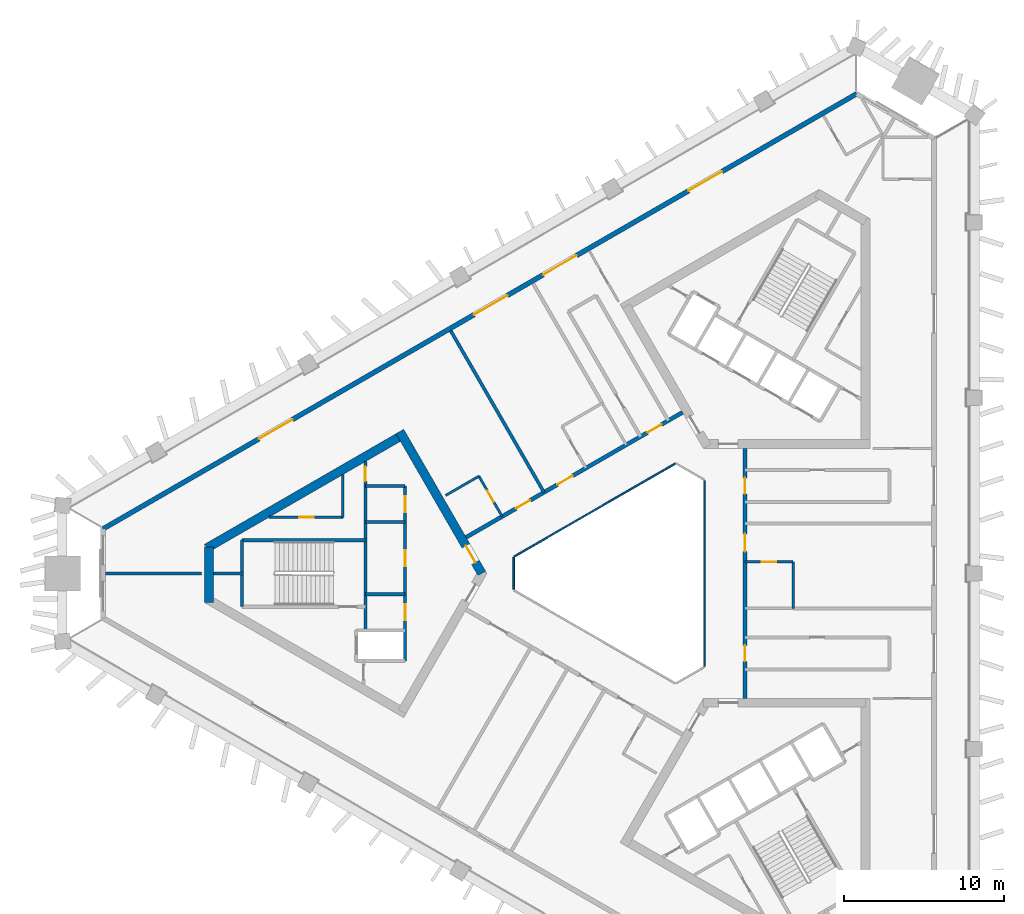
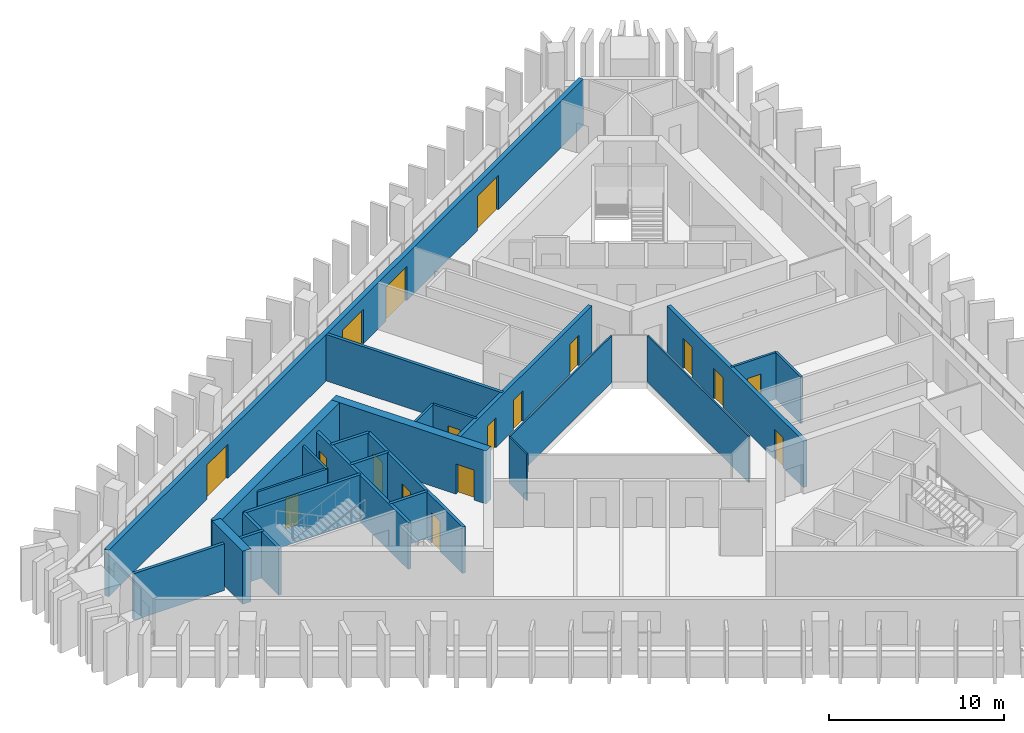
# One storey, part 4 of 10: 25 walls, 18 doors, 18 openings.
"""IFC4 building model written with IfcOpenShell, lengths in metres."""

from ifc_helpers import new_model, si_unit, direction, frame, frame_2d, origin, place, context, subcontext, project, spatial, rectangle, extrude, material, layer, layer_set, type_object, element, fill, save


model = new_model("IFC4")

# Units and contexts
model_context = context("Model", 3, precision=1e-05, world=origin(), true_north=direction((0.0, 1.0)))
body_context = subcontext(model_context, "Body", "Model", "MODEL_VIEW")
ifc_project = project(units=[si_unit("LENGTHUNIT", "METRE"), si_unit("AREAUNIT", "SQUARE_METRE"), si_unit("VOLUMEUNIT", "CUBIC_METRE"), si_unit("PLANEANGLEUNIT", "RADIAN"), si_unit("MASSUNIT", "GRAM", prefix="KILO")], contexts=[model_context])

# Site, building, storey
site_placement = place(None, origin())
site = spatial("IfcSite", under=ifc_project, at=site_placement, CompositionType="ELEMENT")
building_placement = place(site_placement, origin())
building = spatial("IfcBuilding", under=site, at=building_placement, Name="Jabali Bay Hotel Tower and Convention Centre", CompositionType="ELEMENT")
storey_placement = place(building_placement, frame((0.0, 0.0, 160.0)))
storey = spatial("IfcBuildingStorey", under=building, at=storey_placement, Name="L38", CompositionType="ELEMENT", Elevation=160.0)

# Walls
ifc_material_1 = material(Name="Fire-resistant glazing", Category="glass")
ifc_layer_1 = layer(ifc_material_1, 0.10009765625)
ifc_layer_set_1 = layer_set([ifc_layer_1], Name="Fire-resistant glazing")
wall_type_1 = type_object("IfcWallType", Name="Atrium glazed screen 100", PredefinedType="PARTITIONING", material=ifc_layer_set_1)
for number, where, z_axis, x_axis, name in (
    (1, (79.56005859375, 74.205810546875, 0.0), (0.0, 0.0, 1.0), (0.0, 1.0, 0.0), "Atrium screen 1 L38"),
    (2, (77.738037109375, 86.84619140625, 0.0), (0.0, 0.0, 1.0), (-0.866026658274, -0.499997827154, 0.0), "Atrium screen 3 L38"),
):
    element("IfcWall", number, at=place(storey_placement, frame(where, z_axis=z_axis, x_axis=x_axis)), inside=storey, type_object=wall_type_1, Name=name, PredefinedType="PARTITIONING", context=body_context, shape_type="SweptSolid", body=[
        extrude(rectangle(XDim=11.58837890625, YDim=0.10009765625, at=frame_2d((5.794189453125, 0.0))), origin(), (0.0, 0.0, 1.0), 3.25),
    ])
wall_1_placement = place(storey_placement, frame((67.672119140625, 81.0, 0.0), z_axis=(0.0, 0.0, 1.0), x_axis=(0.0, -1.0, 0.0)))
element("IfcWall", 3, at=wall_1_placement, inside=storey, type_object=wall_type_1, Name="Atrium screen 4 L38", PredefinedType="PARTITIONING", context=body_context, shape_type="SweptSolid", body=[
    extrude(rectangle(XDim=2.0, YDim=0.10009765625, at=frame_2d((1.0, 0.0))), origin(), (0.0, 0.0, 1.0), 3.25),
])
ifc_material_2 = material(Name="Concrete C40", Category="concrete")
ifc_layer_2 = layer(ifc_material_2, 0.199951171875)
ifc_layer_set_2 = layer_set([ifc_layer_2], Name="Concrete C40")
wall_type_2 = type_object("IfcWallType", Name="Core partition wall 200", PredefinedType="PARTITIONING", material=ifc_layer_set_2)
wall_2_placement = place(storey_placement, frame((50.820068359375, 80.0, 0.0), z_axis=(0.0, 0.0, 1.0), x_axis=(-1.0, 0.0, 0.0)))
element("IfcWall", 4, at=wall_2_placement, inside=storey, type_object=wall_type_2, Name="Core wall 0.4 L38", PredefinedType="PARTITIONING", context=body_context, shape_type="SweptSolid", body=[
    extrude(rectangle(XDim=1.873046875, YDim=0.199951171875, at=frame_2d((0.9365234375, 0.0))), origin(), (0.0, 0.0, 1.0), 3.25),
])

# Wall, opening, door
ifc_material_3 = material(Name="Fire-rated board partition")
ifc_layer_3 = layer(ifc_material_3, 0.14990234375)
ifc_layer_set_3 = layer_set([ifc_layer_3], Name="Fire-rated board partition")
wall_type_3 = type_object("IfcWallType", Name="Core room partition 150", PredefinedType="PARTITIONING", material=ifc_layer_set_3)
wall_3_placement = place(storey_placement, frame((57.02001953125, 83.5, 0.0), z_axis=(0.0, 0.0, 1.0), x_axis=(-1.0, 0.0, 0.0)))
wall_3 = element("IfcWall", 5, at=wall_3_placement, inside=storey, type_object=wall_type_3, Name="Core wall 0.1 L38", PredefinedType="PARTITIONING", context=body_context, shape_type="SweptSolid", body=[
    extrude(rectangle(XDim=4.617919921875, YDim=0.14990234375, at=frame_2d((2.30908203125, 0.0))), origin(), (0.0, 0.0, 1.0), 3.25),
])
opening_1_placement = place(wall_3_placement, frame((1.83154296875, 0.0, 0.0)))
opening_1 = element("IfcOpeningElement", 6, at=opening_1_placement, cuts=wall_3, Name="Opening D832", PredefinedType="OPENING", context=body_context, shape_type="SweptSolid", body=[
    extrude(rectangle(XDim=0.89990234375, YDim=2.10009765625, at=frame_2d((0.449951171875, 1.050048828125))), frame((0.0, 0.08544921875, 0.0), z_axis=(0.0, -1.0, 0.0), x_axis=(1.0, 0.0, 0.0)), (0.0, 0.0, 1.0), 0.1708984375),
])
ifc_material_4 = material(Name="Fire-rated steel door", Category="steel")
door_type_1 = type_object("IfcDoorType", Name="Core room door 900 x 2100", OperationType="NOTDEFINED", PredefinedType="NOTDEFINED", material=ifc_material_4)
door_1_placement = place(opening_1_placement, origin())
door_1 = element("IfcDoor", 7, at=door_1_placement, inside=storey, type_object=door_type_1, Name="Core room door D832", OperationType="SINGLE_SWING_LEFT", OverallHeight=2.10009765625, OverallWidth=0.89990234375, PredefinedType="NOTDEFINED", context=body_context, shape_type="SweptSolid", body=[
    extrude(rectangle(XDim=0.89990234375, YDim=2.10009765625, at=frame_2d((0.449951171875, 1.050048828125))), frame((0.0, 0.02490234375, 0.0), z_axis=(0.0, -1.0, 0.0), x_axis=(1.0, 0.0, 0.0)), (0.0, 0.0, 1.0), 0.050048828125),
])
fill(opening_1, door_1)

# Walls
wall_4_placement = place(storey_placement, frame((57.02001953125, 86.166015625, 0.0), z_axis=(0.0, 0.0, 1.0), x_axis=(0.0, -1.0, 0.0)))
element("IfcWall", 8, at=wall_4_placement, inside=storey, type_object=wall_type_3, Name="Core wall 0.13 L38", PredefinedType="PARTITIONING", context=body_context, shape_type="SweptSolid", body=[
    extrude(rectangle(XDim=2.666015625, YDim=0.14990234375, at=frame_2d((1.3330078125, 0.0))), origin(), (0.0, 0.0, 1.0), 3.25),
])
ifc_layer_4 = layer(ifc_material_2, 0.199951171875)
ifc_layer_set_4 = layer_set([ifc_layer_4], Name="Concrete C40")
wall_type_4 = type_object("IfcWallType", Name="Core stair wall 200", PredefinedType="SOLIDWALL", material=ifc_layer_set_4)
for number, where, z_axis, x_axis, name in (
    (9, (60.89990234375, 85.449951171875, 0.0), (0.0, 0.0, 1.0), (-1.0, 0.0, 0.0), "Core wall 0.0 L38"),
    (10, (60.89990234375, 83.199951171875, 0.0), (0.0, 0.0, 1.0), (-1.0, 0.0, 0.0), "Core wall 0.2 L38"),
):
    element("IfcWall", number, at=place(storey_placement, frame(where, z_axis=z_axis, x_axis=x_axis)), inside=storey, type_object=wall_type_4, Name=name, PredefinedType="SOLIDWALL", context=body_context, shape_type="SweptSolid", body=[
        extrude(rectangle(XDim=2.47998046875, YDim=0.199951171875, at=frame_2d((1.239990234375, 0.0))), origin(), (0.0, 0.0, 1.0), 3.25),
    ])
wall_5_placement = place(storey_placement, frame((58.419921875, 82.074951171875, 0.0), z_axis=(0.0, 0.0, 1.0), x_axis=(-1.0, 0.0, 0.0)))
element("IfcWall", 11, at=wall_5_placement, inside=storey, type_object=wall_type_4, Name="Core wall 0.3 L38", PredefinedType="SOLIDWALL", context=body_context, shape_type="SweptSolid", body=[
    extrude(rectangle(XDim=7.699951171875, YDim=0.199951171875, at=frame_2d((3.85009765625, 0.0))), origin(), (0.0, 0.0, 1.0), 3.25),
])
wall_6_placement = place(storey_placement, frame((60.89990234375, 78.699951171875, 0.0), z_axis=(0.0, 0.0, 1.0), x_axis=(-1.0, 0.0, 0.0)))
element("IfcWall", 12, at=wall_6_placement, inside=storey, type_object=wall_type_4, Name="Core wall 0.5 L38", PredefinedType="SOLIDWALL", context=body_context, shape_type="SweptSolid", body=[
    extrude(rectangle(XDim=2.47998046875, YDim=0.199951171875, at=frame_2d((1.239990234375, 0.0))), origin(), (0.0, 0.0, 1.0), 3.25),
])

# Wall, openings, doors
wall_7_placement = place(storey_placement, frame((60.89990234375, 85.449951171875, 0.0), z_axis=(0.0, 0.0, 1.0), x_axis=(0.0, -1.0, 0.0)))
wall_7 = element("IfcWall", 13, at=wall_7_placement, inside=storey, type_object=wall_type_4, Name="Core wall 0.9 L38", PredefinedType="SOLIDWALL", context=body_context, shape_type="SweptSolid", body=[
    extrude(rectangle(XDim=10.89990234375, YDim=0.199951171875, at=frame_2d((5.449951171875, 0.0))), origin(), (0.0, 0.0, 1.0), 3.25),
])
opening_2_placement = place(wall_7_placement, frame((0.625, 0.0, 0.0)))
opening_2 = element("IfcOpeningElement", 14, at=opening_2_placement, cuts=wall_7, Name="Opening D826", PredefinedType="OPENING", context=body_context, shape_type="SweptSolid", body=[
    extrude(rectangle(XDim=1.0, YDim=2.10009765625, at=frame_2d((0.5, 1.050048828125))), frame((0.0, 0.1103515625, 0.0), z_axis=(0.0, -1.0, 0.0), x_axis=(1.0, 0.0, 0.0)), (0.0, 0.0, 1.0), 0.220947265625),
])
opening_3_placement = place(wall_7_placement, frame((4.0, 0.0, 0.0)))
opening_3 = element("IfcOpeningElement", 15, at=opening_3_placement, cuts=wall_7, Name="Opening D827", PredefinedType="OPENING", context=body_context, shape_type="SweptSolid", body=[
    extrude(rectangle(XDim=1.0, YDim=2.10009765625, at=frame_2d((0.5, 1.050048828125))), frame((0.0, 0.1103515625, 0.0), z_axis=(0.0, -1.0, 0.0), x_axis=(1.0, 0.0, 0.0)), (0.0, 0.0, 1.0), 0.220947265625),
])
opening_4_placement = place(wall_7_placement, frame((7.375, 0.0, 0.0)))
opening_4 = element("IfcOpeningElement", 16, at=opening_4_placement, cuts=wall_7, Name="Opening D828", PredefinedType="OPENING", context=body_context, shape_type="SweptSolid", body=[
    extrude(rectangle(XDim=1.0, YDim=2.10009765625, at=frame_2d((0.5, 1.050048828125))), frame((0.0, 0.1103515625, 0.0), z_axis=(0.0, -1.0, 0.0), x_axis=(1.0, 0.0, 0.0)), (0.0, 0.0, 1.0), 0.220947265625),
])
door_type_2 = type_object("IfcDoorType", Name="Core room door 1000 x 2100", OperationType="NOTDEFINED", PredefinedType="NOTDEFINED", material=ifc_material_4)
door_2_placement = place(opening_2_placement, origin())
door_2 = element("IfcDoor", 17, at=door_2_placement, inside=storey, type_object=door_type_2, Name="Core room door D826", OperationType="SINGLE_SWING_RIGHT", OverallHeight=2.10009765625, OverallWidth=1.0, PredefinedType="NOTDEFINED", context=body_context, shape_type="SweptSolid", body=[
    extrude(rectangle(XDim=1.0, YDim=2.10009765625, at=frame_2d((0.5, 1.050048828125))), frame((0.0, 0.02490234375, 0.0), z_axis=(0.0, -1.0, 0.0), x_axis=(1.0, 0.0, 0.0)), (0.0, 0.0, 1.0), 0.050048828125),
])
fill(opening_2, door_2)
door_3_placement = place(opening_3_placement, origin())
door_3 = element("IfcDoor", 18, at=door_3_placement, inside=storey, type_object=door_type_2, Name="Core room door D827", OperationType="SINGLE_SWING_RIGHT", OverallHeight=2.10009765625, OverallWidth=1.0, PredefinedType="NOTDEFINED", context=body_context, shape_type="SweptSolid", body=[
    extrude(rectangle(XDim=1.0, YDim=2.10009765625, at=frame_2d((0.5, 1.050048828125))), frame((0.0, 0.02490234375, 0.0), z_axis=(0.0, -1.0, 0.0), x_axis=(1.0, 0.0, 0.0)), (0.0, 0.0, 1.0), 0.050048828125),
])
fill(opening_3, door_3)
door_4_placement = place(opening_4_placement, origin())
door_4 = element("IfcDoor", 19, at=door_4_placement, inside=storey, type_object=door_type_2, Name="Core room door D828", OperationType="SINGLE_SWING_RIGHT", OverallHeight=2.10009765625, OverallWidth=1.0, PredefinedType="NOTDEFINED", context=body_context, shape_type="SweptSolid", body=[
    extrude(rectangle(XDim=1.0, YDim=2.10009765625, at=frame_2d((0.5, 1.050048828125))), frame((0.0, 0.02490234375, 0.0), z_axis=(0.0, -1.0, 0.0), x_axis=(1.0, 0.0, 0.0)), (0.0, 0.0, 1.0), 0.050048828125),
])
fill(opening_4, door_4)

# Wall, opening, door
wall_8_placement = place(storey_placement, frame((58.419921875, 86.974365234375, 0.0), z_axis=(0.0, 0.0, 1.0), x_axis=(0.0, -1.0, 0.0)))
wall_8 = element("IfcWall", 20, at=wall_8_placement, inside=storey, type_object=wall_type_4, Name="Core wall 0.10 L38", PredefinedType="SOLIDWALL", context=body_context, shape_type="SweptSolid", body=[
    extrude(rectangle(XDim=10.5244140625, YDim=0.199951171875, at=frame_2d((5.26220703125, 0.0))), origin(), (0.0, 0.0, 1.0), 3.25),
])
opening_5_placement = place(wall_8_placement, frame((0.312255859375, 0.0, 0.0)))
opening_5 = element("IfcOpeningElement", 21, at=opening_5_placement, cuts=wall_8, Name="Opening D830", PredefinedType="OPENING", context=body_context, shape_type="SweptSolid", body=[
    extrude(rectangle(XDim=0.89990234375, YDim=2.10009765625, at=frame_2d((0.449951171875, 1.050048828125))), frame((0.0, 0.1103515625, 0.0), z_axis=(0.0, -1.0, 0.0), x_axis=(1.0, 0.0, 0.0)), (0.0, 0.0, 1.0), 0.220947265625),
])
door_type_3 = type_object("IfcDoorType", Name="Vestibule fire door 900 x 2100", OperationType="NOTDEFINED", PredefinedType="NOTDEFINED", material=ifc_material_4)
door_5_placement = place(opening_5_placement, origin())
door_5 = element("IfcDoor", 22, at=door_5_placement, inside=storey, type_object=door_type_3, Name="Vestibule fire door D830", OperationType="SINGLE_SWING_LEFT", OverallHeight=2.10009765625, OverallWidth=0.89990234375, PredefinedType="NOTDEFINED", context=body_context, shape_type="SweptSolid", body=[
    extrude(rectangle(XDim=0.89990234375, YDim=2.10009765625, at=frame_2d((0.449951171875, 1.050048828125))), frame((0.0, 0.02490234375, 0.0), z_axis=(0.0, -1.0, 0.0), x_axis=(1.0, 0.0, 0.0)), (0.0, 0.0, 1.0), 0.050048828125),
])
fill(opening_5, door_5)

# Wall
wall_9_placement = place(storey_placement, frame((50.719970703125, 82.074951171875, 0.0), z_axis=(0.0, 0.0, 1.0), x_axis=(0.0, -1.0, 0.0)))
element("IfcWall", 23, at=wall_9_placement, inside=storey, type_object=wall_type_4, Name="Core wall 0.14 L38", PredefinedType="SOLIDWALL", context=body_context, shape_type="SweptSolid", body=[
    extrude(rectangle(XDim=4.14990234375, YDim=0.199951171875, at=frame_2d((2.074951171875, 0.0))), origin(), (0.0, 0.0, 1.0), 3.25),
])

# Wall, opening, door
ifc_material_5 = material(Name="Concrete C60", Category="concrete")
ifc_layer_5 = layer(ifc_material_5, 0.550048828125)
ifc_layer_set_5 = layer_set([ifc_layer_5], Name="Concrete C60")
wall_type_5 = type_object("IfcWallType", Name="Core wall 550", PredefinedType="SHEAR", material=ifc_layer_set_5)
wall_10_placement = place(storey_placement, frame((65.682373046875, 80.0, 0.0), z_axis=(0.0, 0.0, 1.0), x_axis=(-0.500000202252, 0.866025287014, 0.0)))
wall_10 = element("IfcWall", 24, at=wall_10_placement, inside=storey, type_object=wall_type_5, Name="Core wall 1.1 L38", PredefinedType="SHEAR", context=body_context, shape_type="SweptSolid", body=[
    extrude(rectangle(XDim=10.22119140625, YDim=0.550048828125, at=frame_2d((5.110595703125, 0.0))), origin(), (0.0, 0.0, 1.0), 3.699951171875),
])
opening_6_placement = place(wall_10_placement, frame((0.791259765625, 0.0, 0.0)))
opening_6 = element("IfcOpeningElement", 25, at=opening_6_placement, cuts=wall_10, Name="Opening D824", PredefinedType="OPENING", context=body_context, shape_type="SweptSolid", body=[
    extrude(rectangle(XDim=1.199951171875, YDim=2.10009765625, at=frame_2d((0.60009765625, 1.050048828125))), frame((0.0, 0.28564453125, 0.0), z_axis=(0.0, -1.0, 0.0), x_axis=(1.0, 0.0, 0.0)), (0.0, 0.0, 1.0), 0.571044921875),
])
door_type_4 = type_object("IfcDoorType", Name="Corridor end fire door 1200 x 2100", OperationType="NOTDEFINED", PredefinedType="NOTDEFINED", material=ifc_material_4)
door_6_placement = place(opening_6_placement, origin())
door_6 = element("IfcDoor", 26, at=door_6_placement, inside=storey, type_object=door_type_4, Name="Corridor end fire door D824", OperationType="SINGLE_SWING_RIGHT", OverallHeight=2.10009765625, OverallWidth=1.199951171875, PredefinedType="NOTDEFINED", context=body_context, shape_type="SweptSolid", body=[
    extrude(rectangle(XDim=1.199951171875, YDim=2.10009765625, at=frame_2d((0.60009765625, 1.050048828125))), frame((0.0, 0.02490234375, 0.0), z_axis=(0.0, -1.0, 0.0), x_axis=(1.0, 0.0, 0.0)), (0.0, 0.0, 1.0), 0.050048828125),
])
fill(opening_6, door_6)

# Walls
wall_11_placement = place(storey_placement, frame((60.709228515625, 88.61376953125, 0.0), z_axis=(0.0, 0.0, 1.0), x_axis=(-0.866020164116, -0.500009075263, 0.0)))
element("IfcWall", 27, at=wall_11_placement, inside=storey, type_object=wall_type_5, Name="Core wall 1.2 L38", PredefinedType="SHEAR", context=body_context, shape_type="SweptSolid", body=[
    extrude(rectangle(XDim=14.058349609375, YDim=0.550048828125, at=frame_2d((7.029296875, 0.0))), origin(), (0.0, 0.0, 1.0), 3.699951171875),
])
wall_12_placement = place(storey_placement, frame((48.671875, 81.663818359375, 0.0), z_axis=(0.0, 0.0, 1.0), x_axis=(0.0, -1.0, 0.0)))
element("IfcWall", 28, at=wall_12_placement, inside=storey, type_object=wall_type_5, Name="Core wall 1.3 L38", PredefinedType="SHEAR", context=body_context, shape_type="SweptSolid", body=[
    extrude(rectangle(XDim=3.486572265625, YDim=0.550048828125, at=frame_2d((1.7431640625, 0.0))), origin(), (0.0, 0.0, 1.0), 3.699951171875),
])

# Wall, openings, doors
ifc_layer_6 = layer(ifc_material_5, 0.25)
ifc_layer_set_6 = layer_set([ifc_layer_6], Name="Concrete C60")
wall_type_6 = type_object("IfcWallType", Name="Corridor wall 250", PredefinedType="SHEAR", material=ifc_layer_set_6)
wall_13_placement = place(storey_placement, frame((82.10009765625, 72.205810546875, 0.0), z_axis=(0.0, 0.0, 1.0), x_axis=(0.0, 1.0, 0.0)))
wall_13 = element("IfcWall", 29, at=wall_13_placement, inside=storey, type_object=wall_type_6, Name="Corridor wall 1 L38", PredefinedType="SHEAR", context=body_context, shape_type="SweptSolid", body=[
    extrude(rectangle(XDim=15.58837890625, YDim=0.25, at=frame_2d((7.794189453125, 0.0))), origin(), (0.0, 0.0, 1.0), 3.25),
])
opening_7_placement = place(wall_13_placement, frame((2.305908203125, 0.0, 0.0)))
opening_7 = element("IfcOpeningElement", 30, at=opening_7_placement, cuts=wall_13, Name="Opening 3801", PredefinedType="OPENING", context=body_context, shape_type="SweptSolid", body=[
    extrude(rectangle(XDim=1.0, YDim=2.10009765625, at=frame_2d((0.5, 1.050048828125))), frame((0.0, 0.135498046875, 0.0), z_axis=(0.0, -1.0, 0.0), x_axis=(1.0, 0.0, 0.0)), (0.0, 0.0, 1.0), 0.27099609375),
])
opening_8_placement = place(wall_13_placement, frame((9.161865234375, 0.0, 0.0)))
opening_8 = element("IfcOpeningElement", 31, at=opening_8_placement, cuts=wall_13, Name="Opening 3806", PredefinedType="OPENING", context=body_context, shape_type="SweptSolid", body=[
    extrude(rectangle(XDim=1.10009765625, YDim=2.10009765625, at=frame_2d((0.550048828125, 1.050048828125))), frame((0.0, 0.135498046875, 0.0), z_axis=(0.0, -1.0, 0.0), x_axis=(1.0, 0.0, 0.0)), (0.0, 0.0, 1.0), 0.27099609375),
])
opening_9_placement = place(wall_13_placement, frame((12.750244140625, 0.0, 0.0)))
opening_9 = element("IfcOpeningElement", 32, at=opening_9_placement, cuts=wall_13, Name="Opening 3807", PredefinedType="OPENING", context=body_context, shape_type="SweptSolid", body=[
    extrude(rectangle(XDim=1.0, YDim=2.10009765625, at=frame_2d((0.5, 1.050048828125))), frame((0.0, 0.135498046875, 0.0), z_axis=(0.0, -1.0, 0.0), x_axis=(1.0, 0.0, 0.0)), (0.0, 0.0, 1.0), 0.27099609375),
])
ifc_material_6 = material(Name="Timber", Category="wood")
door_type_5 = type_object("IfcDoorType", Name="Accessible guest room door 1100 x 2100", OperationType="NOTDEFINED", PredefinedType="NOTDEFINED", material=ifc_material_6)
door_7_placement = place(opening_8_placement, origin())
door_7 = element("IfcDoor", 33, at=door_7_placement, inside=storey, type_object=door_type_5, Name="Door 3806", OperationType="SINGLE_SWING_RIGHT", OverallHeight=2.10009765625, OverallWidth=1.10009765625, PredefinedType="NOTDEFINED", context=body_context, shape_type="SweptSolid", body=[
    extrude(rectangle(XDim=1.10009765625, YDim=2.10009765625, at=frame_2d((0.550048828125, 1.050048828125))), frame((0.0, 0.02490234375, 0.0), z_axis=(0.0, -1.0, 0.0), x_axis=(1.0, 0.0, 0.0)), (0.0, 0.0, 1.0), 0.050048828125),
])
fill(opening_8, door_7)
door_type_6 = type_object("IfcDoorType", Name="Guest room door 1000 x 2100", OperationType="NOTDEFINED", PredefinedType="NOTDEFINED", material=ifc_material_6)
door_8_placement = place(opening_7_placement, origin())
door_8 = element("IfcDoor", 34, at=door_8_placement, inside=storey, type_object=door_type_6, Name="Door 3801", OperationType="SINGLE_SWING_LEFT", OverallHeight=2.10009765625, OverallWidth=1.0, PredefinedType="NOTDEFINED", context=body_context, shape_type="SweptSolid", body=[
    extrude(rectangle(XDim=1.0, YDim=2.10009765625, at=frame_2d((0.5, 1.050048828125))), frame((0.0, 0.02490234375, 0.0), z_axis=(0.0, -1.0, 0.0), x_axis=(1.0, 0.0, 0.0)), (0.0, 0.0, 1.0), 0.050048828125),
])
fill(opening_7, door_8)
door_9_placement = place(opening_9_placement, origin())
door_9 = element("IfcDoor", 35, at=door_9_placement, inside=storey, type_object=door_type_6, Name="Door 3807", OperationType="SINGLE_SWING_RIGHT", OverallHeight=2.10009765625, OverallWidth=1.0, PredefinedType="NOTDEFINED", context=body_context, shape_type="SweptSolid", body=[
    extrude(rectangle(XDim=1.0, YDim=2.10009765625, at=frame_2d((0.5, 1.050048828125))), frame((0.0, 0.02490234375, 0.0), z_axis=(0.0, -1.0, 0.0), x_axis=(1.0, 0.0, 0.0)), (0.0, 0.0, 1.0), 0.050048828125),
])
fill(opening_9, door_9)

wall_14_placement = place(storey_placement, frame((78.199951171875, 90.0458984375, 0.0), z_axis=(0.0, 0.0, 1.0), x_axis=(-0.866026492143, -0.499998114903, 0.0)))
wall_14 = element("IfcWall", 36, at=wall_14_placement, inside=storey, type_object=wall_type_6, Name="Corridor wall 2 L38", PredefinedType="SHEAR", context=body_context, shape_type="SweptSolid", body=[
    extrude(rectangle(XDim=15.58837890625, YDim=0.25, at=frame_2d((7.794189453125, 0.0))), origin(), (0.0, 0.0, 1.0), 3.25),
])
opening_10_placement = place(wall_14_placement, frame((1.526611328125, 0.0, 0.0)))
opening_10 = element("IfcOpeningElement", 37, at=opening_10_placement, cuts=wall_14, Name="Opening 3811", PredefinedType="OPENING", context=body_context, shape_type="SweptSolid", body=[
    extrude(rectangle(XDim=1.0, YDim=2.10009765625, at=frame_2d((0.5, 1.050048828125))), frame((0.0, 0.135498046875, 0.0), z_axis=(0.0, -1.0, 0.0), x_axis=(1.0, 0.0, 0.0)), (0.0, 0.0, 1.0), 0.27099609375),
])
opening_11_placement = place(wall_14_placement, frame((7.914794921875, 0.0, 0.0)))
opening_11 = element("IfcOpeningElement", 38, at=opening_11_placement, cuts=wall_14, Name="Opening 3816", PredefinedType="OPENING", context=body_context, shape_type="SweptSolid", body=[
    extrude(rectangle(XDim=1.10009765625, YDim=2.10009765625, at=frame_2d((0.550048828125, 1.050048828125))), frame((0.0, 0.135498046875, 0.0), z_axis=(0.0, -1.0, 0.0), x_axis=(1.0, 0.0, 0.0)), (0.0, 0.0, 1.0), 0.27099609375),
])
opening_12_placement = place(wall_14_placement, frame((10.982421875, 0.0, 0.0)))
opening_12 = element("IfcOpeningElement", 39, at=opening_12_placement, cuts=wall_14, Name="Opening 3818", PredefinedType="OPENING", context=body_context, shape_type="SweptSolid", body=[
    extrude(rectangle(XDim=1.0, YDim=2.10009765625, at=frame_2d((0.5, 1.050048828125))), frame((0.0, 0.135498046875, 0.0), z_axis=(0.0, -1.0, 0.0), x_axis=(1.0, 0.0, 0.0)), (0.0, 0.0, 1.0), 0.27099609375),
])
door_10_placement = place(opening_11_placement, origin())
door_10 = element("IfcDoor", 40, at=door_10_placement, inside=storey, type_object=door_type_5, Name="Door 3816", OperationType="SINGLE_SWING_RIGHT", OverallHeight=2.10009765625, OverallWidth=1.10009765625, PredefinedType="NOTDEFINED", context=body_context, shape_type="SweptSolid", body=[
    extrude(rectangle(XDim=1.10009765625, YDim=2.10009765625, at=frame_2d((0.550048828125, 1.050048828125))), frame((0.0, 0.02490234375, 0.0), z_axis=(0.0, -1.0, 0.0), x_axis=(1.0, 0.0, 0.0)), (0.0, 0.0, 1.0), 0.050048828125),
])
fill(opening_11, door_10)
door_11_placement = place(opening_10_placement, origin())
door_11 = element("IfcDoor", 41, at=door_11_placement, inside=storey, type_object=door_type_6, Name="Door 3811", OperationType="SINGLE_SWING_LEFT", OverallHeight=2.10009765625, OverallWidth=1.0, PredefinedType="NOTDEFINED", context=body_context, shape_type="SweptSolid", body=[
    extrude(rectangle(XDim=1.0, YDim=2.10009765625, at=frame_2d((0.5, 1.050048828125))), frame((0.0, 0.02490234375, 0.0), z_axis=(0.0, -1.0, 0.0), x_axis=(1.0, 0.0, 0.0)), (0.0, 0.0, 1.0), 0.050048828125),
])
fill(opening_10, door_11)
door_12_placement = place(opening_12_placement, origin())
door_12 = element("IfcDoor", 42, at=door_12_placement, inside=storey, type_object=door_type_6, Name="Door 3818", OperationType="SINGLE_SWING_RIGHT", OverallHeight=2.10009765625, OverallWidth=1.0, PredefinedType="NOTDEFINED", context=body_context, shape_type="SweptSolid", body=[
    extrude(rectangle(XDim=1.0, YDim=2.10009765625, at=frame_2d((0.5, 1.050048828125))), frame((0.0, 0.02490234375, 0.0), z_axis=(0.0, -1.0, 0.0), x_axis=(1.0, 0.0, 0.0)), (0.0, 0.0, 1.0), 0.050048828125),
])
fill(opening_12, door_12)

ifc_layer_7 = layer(ifc_material_2, 0.300048828125)
ifc_layer_set_7 = layer_set([ifc_layer_7], Name="Concrete C40")
wall_type_7 = type_object("IfcWallType", Name="External wall 300", PredefinedType="SOLIDWALL", material=ifc_layer_set_7)
wall_15_placement = place(storey_placement, frame((42.05859375, 82.77685546875, 0.0), z_axis=(0.0, 0.0, 1.0), x_axis=(0.866025745652, 0.499999407868, 0.0)))
wall_15 = element("IfcWall", 43, at=wall_15_placement, inside=storey, type_object=wall_type_7, Name="External wall north-west face L38", PredefinedType="SOLIDWALL", context=body_context, shape_type="SweptSolid", body=[
    extrude(rectangle(XDim=54.279296875, YDim=0.300048828125, at=frame_2d((27.1396484375, 0.0))), origin(), (0.0, 0.0, 1.0), 3.25),
])
opening_13_placement = place(wall_15_placement, frame((26.71923828125, 0.0, 0.0)))
opening_13 = element("IfcOpeningElement", 44, at=opening_13_placement, cuts=wall_15, Name="Opening SD1", PredefinedType="OPENING", context=body_context, shape_type="SweptSolid", body=[
    extrude(rectangle(XDim=2.39990234375, YDim=2.39990234375, at=frame_2d((1.199951171875, 1.199951171875))), frame((0.0, 0.16064453125, 0.0), z_axis=(0.0, -1.0, 0.0), x_axis=(1.0, 0.0, 0.0)), (0.0, 0.0, 1.0), 0.321044921875),
])
opening_14_placement = place(wall_15_placement, frame((31.70751953125, 0.0, 0.0)))
opening_14 = element("IfcOpeningElement", 45, at=opening_14_placement, cuts=wall_15, Name="Opening SD1", PredefinedType="OPENING", context=body_context, shape_type="SweptSolid", body=[
    extrude(rectangle(XDim=2.39990234375, YDim=2.39990234375, at=frame_2d((1.199951171875, 1.199951171875))), frame((0.0, 0.16064453125, 0.0), z_axis=(0.0, -1.0, 0.0), x_axis=(1.0, 0.0, 0.0)), (0.0, 0.0, 1.0), 0.321044921875),
])
opening_15_placement = place(wall_15_placement, frame((42.1748046875, 0.0, 0.0)))
opening_15 = element("IfcOpeningElement", 46, at=opening_15_placement, cuts=wall_15, Name="Opening SD1", PredefinedType="OPENING", context=body_context, shape_type="SweptSolid", body=[
    extrude(rectangle(XDim=2.39990234375, YDim=2.39990234375, at=frame_2d((1.199951171875, 1.199951171875))), frame((0.0, 0.16064453125, 0.0), z_axis=(0.0, -1.0, 0.0), x_axis=(1.0, 0.0, 0.0)), (0.0, 0.0, 1.0), 0.321044921875),
])
opening_16_placement = place(wall_15_placement, frame((11.2353515625, 0.0, 0.0)))
opening_16 = element("IfcOpeningElement", 47, at=opening_16_placement, cuts=wall_15, Name="Opening SD1", PredefinedType="OPENING", context=body_context, shape_type="SweptSolid", body=[
    extrude(rectangle(XDim=2.39990234375, YDim=2.39990234375, at=frame_2d((1.199951171875, 1.199951171875))), frame((0.0, 0.16064453125, 0.0), z_axis=(0.0, -1.0, 0.0), x_axis=(1.0, 0.0, 0.0)), (0.0, 0.0, 1.0), 0.321044921875),
])
ifc_material_7 = material(Name="Glass", Category="glass")
door_type_7 = type_object("IfcDoorType", Name="Loggia sliding door 2400 x 2400", OperationType="NOTDEFINED", PredefinedType="NOTDEFINED", material=ifc_material_7)
door_13_placement = place(opening_13_placement, origin())
door_13 = element("IfcDoor", 48, at=door_13_placement, inside=storey, type_object=door_type_7, Name="Loggia sliding door 3808", OperationType="SLIDING_TO_LEFT", OverallHeight=2.39990234375, OverallWidth=2.39990234375, PredefinedType="NOTDEFINED", context=body_context, shape_type="SweptSolid", body=[
    extrude(rectangle(XDim=2.39990234375, YDim=2.39990234375, at=frame_2d((1.199951171875, 1.199951171875))), frame((0.0, 0.02490234375, 0.0), z_axis=(0.0, -1.0, 0.0), x_axis=(1.0, 0.0, 0.0)), (0.0, 0.0, 1.0), 0.050048828125),
])
fill(opening_13, door_13)
door_14_placement = place(opening_14_placement, origin())
door_14 = element("IfcDoor", 49, at=door_14_placement, inside=storey, type_object=door_type_7, Name="Loggia sliding door 3806", OperationType="SLIDING_TO_RIGHT", OverallHeight=2.39990234375, OverallWidth=2.39990234375, PredefinedType="NOTDEFINED", context=body_context, shape_type="SweptSolid", body=[
    extrude(rectangle(XDim=2.39990234375, YDim=2.39990234375, at=frame_2d((1.199951171875, 1.199951171875))), frame((0.0, 0.02490234375, 0.0), z_axis=(0.0, -1.0, 0.0), x_axis=(1.0, 0.0, 0.0)), (0.0, 0.0, 1.0), 0.050048828125),
])
fill(opening_14, door_14)
door_15_placement = place(opening_15_placement, origin())
door_15 = element("IfcDoor", 50, at=door_15_placement, inside=storey, type_object=door_type_7, Name="Loggia sliding door 3806", OperationType="SLIDING_TO_LEFT", OverallHeight=2.39990234375, OverallWidth=2.39990234375, PredefinedType="NOTDEFINED", context=body_context, shape_type="SweptSolid", body=[
    extrude(rectangle(XDim=2.39990234375, YDim=2.39990234375, at=frame_2d((1.199951171875, 1.199951171875))), frame((0.0, 0.02490234375, 0.0), z_axis=(0.0, -1.0, 0.0), x_axis=(1.0, 0.0, 0.0)), (0.0, 0.0, 1.0), 0.050048828125),
])
fill(opening_15, door_15)
door_16_placement = place(opening_16_placement, origin())
door_16 = element("IfcDoor", 51, at=door_16_placement, inside=storey, type_object=door_type_7, Name="Loggia sliding door 3809", OperationType="SLIDING_TO_RIGHT", OverallHeight=2.39990234375, OverallWidth=2.39990234375, PredefinedType="NOTDEFINED", context=body_context, shape_type="SweptSolid", body=[
    extrude(rectangle(XDim=2.39990234375, YDim=2.39990234375, at=frame_2d((1.199951171875, 1.199951171875))), frame((0.0, 0.02490234375, 0.0), z_axis=(0.0, -1.0, 0.0), x_axis=(1.0, 0.0, 0.0)), (0.0, 0.0, 1.0), 0.050048828125),
])
fill(opening_16, door_16)

# Wall, opening, door
ifc_material_8 = material(Name="Plasterboard on steel stud", Category="steel")
ifc_layer_8 = layer(ifc_material_8, 0.14990234375)
ifc_layer_set_8 = layer_set([ifc_layer_8], Name="Plasterboard on steel stud")
wall_type_8 = type_object("IfcWallType", Name="Partition 150 wet", PredefinedType="PARTITIONING", material=ifc_layer_set_8)
wall_16_placement = place(storey_placement, frame((82.10009765625, 80.717529296875, 0.0), z_axis=(0.0, 0.0, 1.0), x_axis=(1.0, 0.0, 0.0)))
wall_16 = element("IfcWall", 52, at=wall_16_placement, inside=storey, type_object=wall_type_8, Name="Partition P03 L38 011", PredefinedType="PARTITIONING", context=body_context, shape_type="SweptSolid", body=[
    extrude(rectangle(XDim=3.0, YDim=0.14990234375, at=frame_2d((1.5, 0.0))), origin(), (0.0, 0.0, 1.0), 3.25),
])
opening_17_placement = place(wall_16_placement, frame((1.050048828125, 0.0, 0.0)))
opening_17 = element("IfcOpeningElement", 53, at=opening_17_placement, cuts=wall_16, Name="Opening 3805", PredefinedType="OPENING", context=body_context, shape_type="SweptSolid", body=[
    extrude(rectangle(XDim=0.89990234375, YDim=2.10009765625, at=frame_2d((0.449951171875, 1.050048828125))), frame((0.0, 0.08544921875, 0.0), z_axis=(0.0, -1.0, 0.0), x_axis=(1.0, 0.0, 0.0)), (0.0, 0.0, 1.0), 0.1708984375),
])
door_type_8 = type_object("IfcDoorType", Name="Accessible en-suite door 900 x 2100", OperationType="NOTDEFINED", PredefinedType="NOTDEFINED", material=ifc_material_6)
door_17_placement = place(opening_17_placement, origin())
door_17 = element("IfcDoor", 54, at=door_17_placement, inside=storey, type_object=door_type_8, Name="Door 3805", OperationType="SINGLE_SWING_RIGHT", OverallHeight=2.10009765625, OverallWidth=0.89990234375, PredefinedType="NOTDEFINED", context=body_context, shape_type="SweptSolid", body=[
    extrude(rectangle(XDim=0.89990234375, YDim=2.10009765625, at=frame_2d((0.449951171875, 1.050048828125))), frame((0.0, 0.02490234375, 0.0), z_axis=(0.0, -1.0, 0.0), x_axis=(1.0, 0.0, 0.0)), (0.0, 0.0, 1.0), 0.050048828125),
])
fill(opening_17, door_17)

# Walls
wall_17_placement = place(storey_placement, frame((85.10009765625, 80.717529296875, 0.0), z_axis=(0.0, 0.0, 1.0), x_axis=(0.0, -1.0, 0.0)))
element("IfcWall", 55, at=wall_17_placement, inside=storey, type_object=wall_type_8, Name="Partition P03 L38 012", PredefinedType="PARTITIONING", context=body_context, shape_type="SweptSolid", body=[
    extrude(rectangle(XDim=2.89990234375, YDim=0.14990234375, at=frame_2d((1.449951171875, 0.0))), origin(), (0.0, 0.0, 1.0), 3.25),
])
wall_18_placement = place(storey_placement, frame((63.42236328125, 84.862548828125, 0.0), z_axis=(0.0, 0.0, 1.0), x_axis=(0.865994240961, 0.500053971709, 0.0)))
element("IfcWall", 56, at=wall_18_placement, inside=storey, type_object=wall_type_8, Name="Partition P03 L38 034", PredefinedType="PARTITIONING", context=body_context, shape_type="SweptSolid", body=[
    extrude(rectangle(XDim=2.401123046875, YDim=0.14990234375, at=frame_2d((1.20068359375, 0.0))), origin(), (0.0, 0.0, 1.0), 3.25),
])

# Wall, opening, door
wall_19_placement = place(storey_placement, frame((65.501708984375, 86.063232421875, 0.0), z_axis=(0.0, 0.0, 1.0), x_axis=(0.499987231761, -0.866032775405, 0.0)))
wall_19 = element("IfcWall", 57, at=wall_19_placement, inside=storey, type_object=wall_type_8, Name="Partition P03 L38 035", PredefinedType="PARTITIONING", context=body_context, shape_type="SweptSolid", body=[
    extrude(rectangle(XDim=2.89990234375, YDim=0.14990234375, at=frame_2d((1.449951171875, 0.0))), origin(), (0.0, 0.0, 1.0), 3.25),
])
opening_18_placement = place(wall_19_placement, frame((1.050048828125, 0.0, 0.0)))
opening_18 = element("IfcOpeningElement", 58, at=opening_18_placement, cuts=wall_19, Name="Opening 3817", PredefinedType="OPENING", context=body_context, shape_type="SweptSolid", body=[
    extrude(rectangle(XDim=0.800048828125, YDim=2.10009765625, at=frame_2d((0.39990234375, 1.050048828125))), frame((0.0, 0.08544921875, 0.0), z_axis=(0.0, -1.0, 0.0), x_axis=(1.0, 0.0, 0.0)), (0.0, 0.0, 1.0), 0.1708984375),
])
door_type_9 = type_object("IfcDoorType", Name="En-suite door 800 x 2100", OperationType="NOTDEFINED", PredefinedType="NOTDEFINED", material=ifc_material_6)
door_18_placement = place(opening_18_placement, origin())
door_18 = element("IfcDoor", 59, at=door_18_placement, inside=storey, type_object=door_type_9, Name="Door 3817", OperationType="SINGLE_SWING_RIGHT", OverallHeight=2.10009765625, OverallWidth=0.800048828125, PredefinedType="NOTDEFINED", context=body_context, shape_type="SweptSolid", body=[
    extrude(rectangle(XDim=0.800048828125, YDim=2.10009765625, at=frame_2d((0.39990234375, 1.050048828125))), frame((0.0, 0.02490234375, 0.0), z_axis=(0.0, -1.0, 0.0), x_axis=(1.0, 0.0, 0.0)), (0.0, 0.0, 1.0), 0.050048828125),
])
fill(opening_18, door_18)

# Walls
ifc_layer_9 = layer(ifc_material_8, 0.199951171875)
ifc_layer_set_9 = layer_set([ifc_layer_9], Name="Plasterboard on steel stud")
wall_type_9 = type_object("IfcWallType", Name="Partition 200 party", PredefinedType="PARTITIONING", material=ifc_layer_set_9)
wall_20_placement = place(storey_placement, frame((63.746826171875, 95.12646484375, 0.0), z_axis=(0.0, 0.0, 1.0), x_axis=(0.4999987432, -0.866026129397, 0.0)))
element("IfcWall", 60, at=wall_20_placement, inside=storey, type_object=wall_type_9, Name="Partition P01 L38 033", PredefinedType="PARTITIONING", context=body_context, shape_type="SweptSolid", body=[
    extrude(rectangle(XDim=11.62646484375, YDim=0.199951171875, at=frame_2d((5.813232421875, 0.0))), origin(), (0.0, 0.0, 1.0), 3.25),
])
wall_21_placement = place(storey_placement, frame((42.20751953125, 80.0009765625, 0.0), z_axis=(0.0, 0.0, 1.0), x_axis=(1.0, 0.0, 0.0)))
element("IfcWall", 61, at=wall_21_placement, inside=storey, type_object=wall_type_9, Name="Partition P01 L38 036", PredefinedType="PARTITIONING", context=body_context, shape_type="SweptSolid", body=[
    extrude(rectangle(XDim=5.990478515625, YDim=0.199951171875, at=frame_2d((2.9951171875, 0.0))), origin(), (0.0, 0.0, 1.0), 3.25),
])

save(model, "model.ifc")
